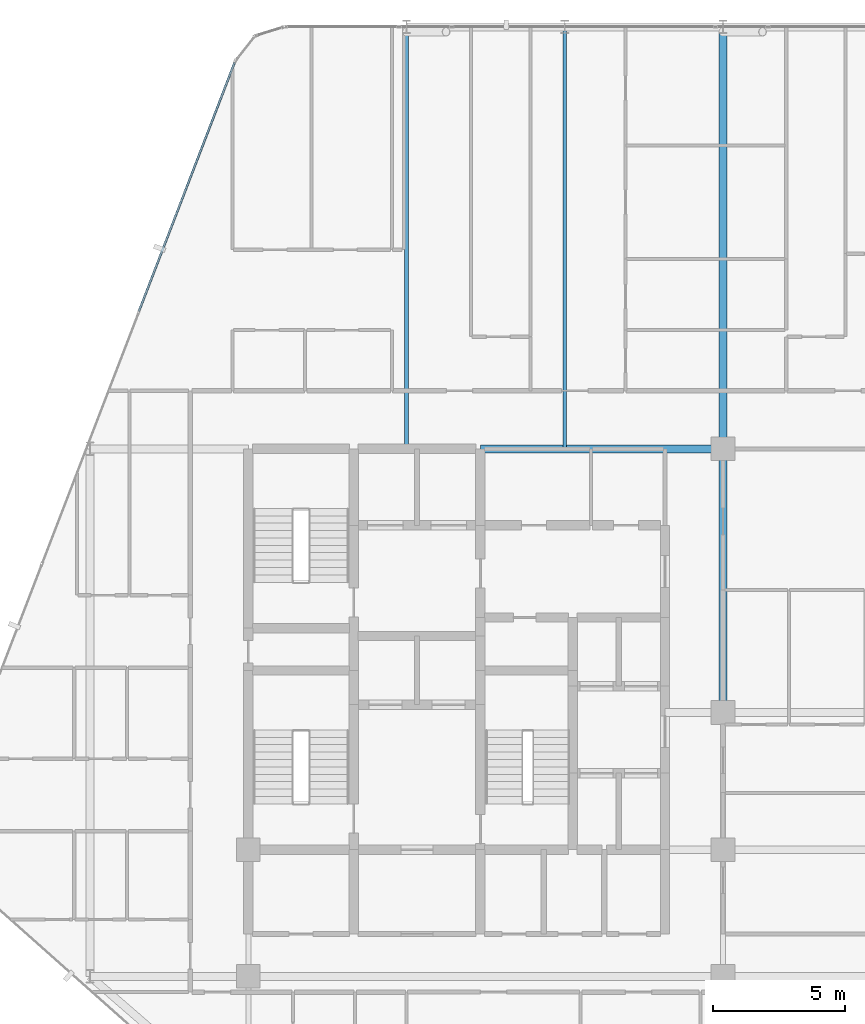
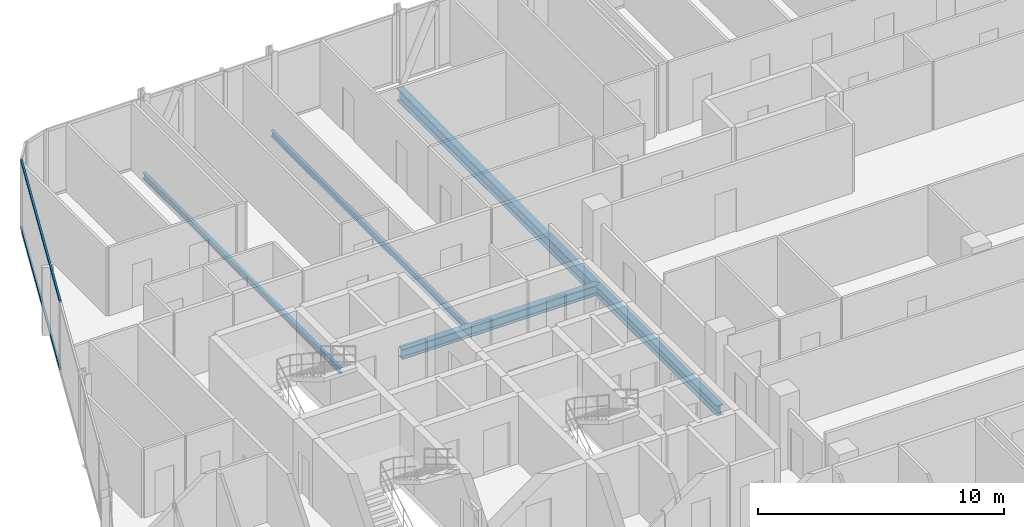
# One storey, part 16 of 31: 5 beams, 2 members, 1 element without a shape of its own.
"""IFC4 building model written with IfcOpenShell, lengths in metres."""

from ifc_helpers import new_model, si_unit, direction, frame, origin, origin_2d, place, context, subcontext, project, spatial, hollow_rectangle, i_section, extrude, material, layer, layer_set, material_profile, profile_set, type_object, element, aggregate, save


model = new_model("IFC4")

# Units and contexts
model_context = context("Model", 3, precision=1e-05, world=origin(), true_north=direction((0.0, 1.0)))
body_context = subcontext(model_context, "Body", "Model", "MODEL_VIEW")
ifc_project = project(units=[si_unit("LENGTHUNIT", "METRE"), si_unit("AREAUNIT", "SQUARE_METRE"), si_unit("VOLUMEUNIT", "CUBIC_METRE"), si_unit("PLANEANGLEUNIT", "RADIAN"), si_unit("MASSUNIT", "GRAM", prefix="KILO")], contexts=[model_context])

# Site, building, storey
site_placement = place(None, origin())
site = spatial("IfcSite", under=ifc_project, at=site_placement, CompositionType="ELEMENT")
building_placement = place(site_placement, origin())
building = spatial("IfcBuilding", under=site, at=building_placement, Name="Keshet Zoharim Tower", CompositionType="ELEMENT")
storey_placement = place(building_placement, frame((0.0, 0.0, 133.5)))
storey = spatial("IfcBuildingStorey", under=building, at=storey_placement, Name="L32", CompositionType="ELEMENT", Elevation=133.5)

# Beams
ifc_material_1 = material(Name="Steel S355", Category="steel")
ifc_material_profile_1 = material_profile(ifc_material_1, i_section(OverallWidth=0.14990234375, OverallDepth=0.300048828125, WebThickness=0.007080078125, FlangeThickness=0.0107421875, FilletRadius=0.014892578125, at=origin_2d()), Name="IPE300")
ifc_profile_set_1 = profile_set([ifc_material_profile_1], Name="Steel S355")
beam_type_1 = type_object("IfcBeamType", Name="BM-JST-IP300", PredefinedType="JOIST", material=ifc_profile_set_1)
for number, where, z_axis, x_axis, name in (
    (1, (21.0, 37.89990234375, -0.465087890625), (0.0, 1.0, 0.0), (-1.0, 0.0, 0.0), "L32 Secondary Floor Joist J-001"),
    (2, (27.0, 37.89990234375, -0.465087890625), (0.0, 1.0, 0.0), (-1.0, 0.0, 0.0), "L32 Secondary Floor Joist J-002"),
):
    element("IfcBeam", number, at=place(storey_placement, frame(where, z_axis=z_axis, x_axis=x_axis)), inside=storey, type_object=beam_type_1, Name=name, PredefinedType="JOIST", context=body_context, shape_type="SweptSolid", body=[
        extrude(i_section(OverallWidth=0.14990234375, OverallDepth=0.300048828125, WebThickness=0.007080078125, FlangeThickness=0.0107421875, FilletRadius=0.014892578125, at=origin_2d()), origin(), (0.0, 0.0, 1.0), 16.0),
    ])
ifc_material_profile_2 = material_profile(ifc_material_1, i_section(OverallWidth=0.300048828125, OverallDepth=0.60009765625, WebThickness=0.015380859375, FlangeThickness=0.030029296875, FilletRadius=0.027099609375, at=origin_2d()), Name="HEB600")
ifc_profile_set_2 = profile_set([ifc_material_profile_2], Name="Steel S355")
beam_type_2 = type_object("IfcBeamType", Name="BM-LNG-HB600", PredefinedType="BEAM", material=ifc_profile_set_2)
beam_1_placement = place(storey_placement, frame((33.0, 37.89990234375, -0.614990234375), z_axis=(0.0, 1.0, 0.0), x_axis=(-1.0, 0.0, 0.0)))
element("IfcBeam", 3, at=beam_1_placement, inside=storey, type_object=beam_type_2, Name="L32 Primary Girder Y-011", PredefinedType="BEAM", context=body_context, shape_type="SweptSolid", body=[
    extrude(i_section(OverallWidth=0.300048828125, OverallDepth=0.60009765625, WebThickness=0.015380859375, FlangeThickness=0.030029296875, FilletRadius=0.027099609375, at=origin_2d()), origin(), (0.0, 0.0, 1.0), 16.0),
])
ifc_material_profile_3 = material_profile(ifc_material_1, i_section(OverallWidth=0.300048828125, OverallDepth=0.5, WebThickness=0.014404296875, FlangeThickness=0.028076171875, FilletRadius=0.027099609375, at=origin_2d()), Name="HEB500")
ifc_profile_set_3 = profile_set([ifc_material_profile_3], Name="Steel S355")
beam_type_3 = type_object("IfcBeamType", Name="BM-MED-HB500", PredefinedType="BEAM", material=ifc_profile_set_3)
beam_2_placement = place(storey_placement, frame((23.800048828125, 37.89990234375, -0.56494140625), z_axis=(1.0, 0.0, 0.0), x_axis=(0.0, 1.0, 0.0)))
element("IfcBeam", 4, at=beam_2_placement, inside=storey, type_object=beam_type_3, Name="L32 Primary Girder X-019", PredefinedType="BEAM", context=body_context, shape_type="SweptSolid", body=[
    extrude(i_section(OverallWidth=0.300048828125, OverallDepth=0.5, WebThickness=0.014404296875, FlangeThickness=0.028076171875, FilletRadius=0.027099609375, at=origin_2d()), origin(), (0.0, 0.0, 1.0), 9.199951171875),
])
beam_3_placement = place(storey_placement, frame((33.0, 27.89990234375, -0.56494140625), z_axis=(0.0, 1.0, 0.0), x_axis=(-1.0, 0.0, 0.0)))
element("IfcBeam", 5, at=beam_3_placement, inside=storey, type_object=beam_type_3, Name="L32 Primary Girder Y-010", PredefinedType="BEAM", context=body_context, shape_type="SweptSolid", body=[
    extrude(i_section(OverallWidth=0.300048828125, OverallDepth=0.5, WebThickness=0.014404296875, FlangeThickness=0.028076171875, FilletRadius=0.027099609375, at=origin_2d()), origin(), (0.0, 0.0, 1.0), 10.0),
])

# Curtain wall, members
ifc_material_2 = material(Name="Aluminium 6063-T6", Category="aluminium")
ifc_layer = layer(ifc_material_2, 0.159912109375)
ifc_layer_set = layer_set([ifc_layer], Name="Aluminium 6063-T6")
curtain_wall_type = type_object("IfcCurtainWallType", Name="CW-SYS-03", PredefinedType="NOTDEFINED", material=ifc_layer_set)
curtain_wall_placement = place(storey_placement, origin())
curtain_wall = element("IfcCurtainWall", 6, at=curtain_wall_placement, inside=storey, type_object=curtain_wall_type, Name="L32 Unitised Curtain Wall 10", PredefinedType="NOTDEFINED")
ifc_material_profile_4 = material_profile(ifc_material_2, hollow_rectangle(XDim=0.080078125, YDim=0.139892578125, WallThickness=0.00390625, at=origin_2d()), Name="TRN-80x140")
ifc_profile_set_4 = profile_set([ifc_material_profile_4], Name="Aluminium 6063-T6")
member_type = type_object("IfcMemberType", Name="CWT-T14", PredefinedType="USERDEFINED", material=ifc_profile_set_4)
member_1_placement = place(storey_placement, frame((10.849609375, 43.10888671875, 0.034912109375), z_axis=(0.358985546764, 0.933343118694, 0.0), x_axis=(-0.933343118694, 0.358985546764, 0.0)))
member_1 = element("IfcMember", 7, at=member_1_placement, type_object=member_type, Name="CW-03 transom 3.1", ObjectType="TRANSOM", PredefinedType="USERDEFINED", context=body_context, shape_type="SweptSolid", body=[
    extrude(hollow_rectangle(XDim=0.080078125, YDim=0.139892578125, WallThickness=0.00390625, at=origin_2d()), origin(), (0.0, 0.0, 1.0), 10.118408203125),
])
member_2_placement = place(storey_placement, frame((10.849609375, 43.10888671875, 3.35009765625), z_axis=(0.358985546764, 0.933343118694, 0.0), x_axis=(-0.933343118694, 0.358985546764, 0.0)))
member_2 = element("IfcMember", 8, at=member_2_placement, type_object=member_type, Name="CW-03 transom 3.2", ObjectType="TRANSOM", PredefinedType="USERDEFINED", context=body_context, shape_type="SweptSolid", body=[
    extrude(hollow_rectangle(XDim=0.080078125, YDim=0.139892578125, WallThickness=0.00390625, at=origin_2d()), origin(), (0.0, 0.0, 1.0), 10.118408203125),
])
aggregate(curtain_wall, [member_1, member_2])

save(model, "model.ifc")
